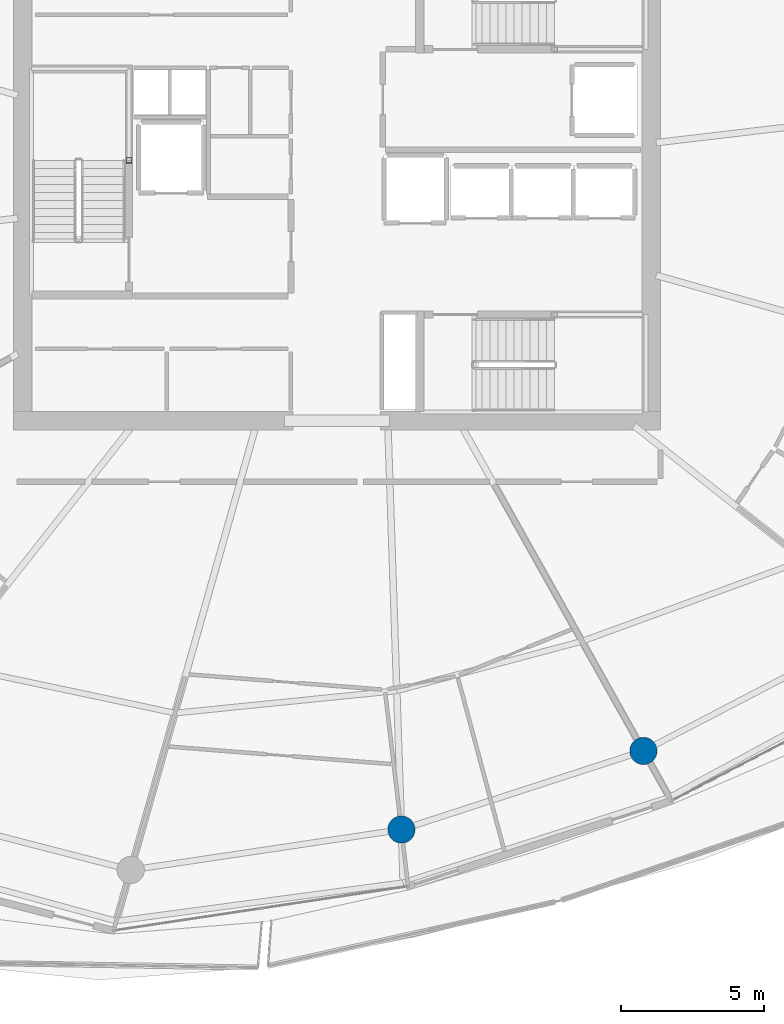
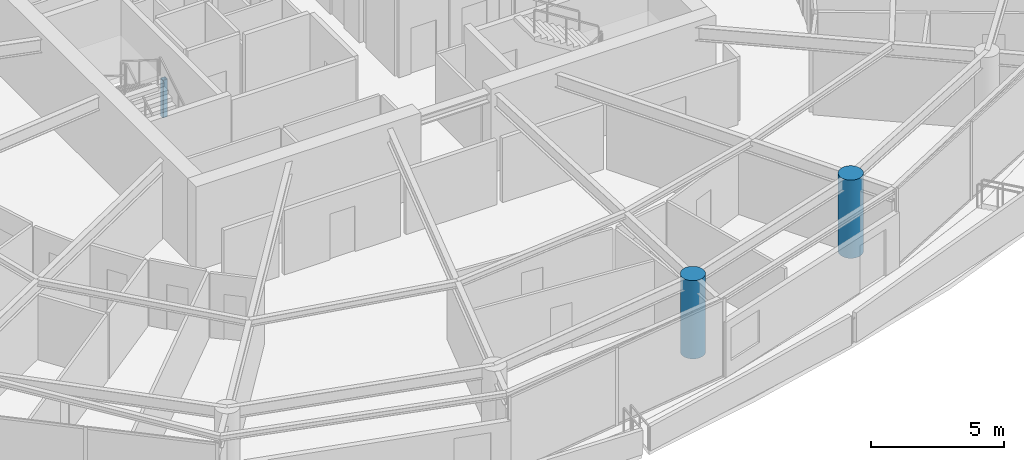
# One storey, part 2 of 29: 3 columns.
"""IFC4 building model written with IfcOpenShell, lengths in metres."""

import ifcopenshell
import ifcopenshell.guid

model = None  # the IFC model being written
_history = None  # IfcOwnerHistory: only IFC2X3 demands one
_inside = {}  # id of a spatial element -> (the spatial element, [elements in it])
_under = {}  # id of a project, library or spatial element -> (it, [spatial elements below it])
_declared = {}  # id of a project -> (the project, [libraries it declares])
_typed = {}  # id of a type object -> (the type object, [elements of that type])
_made_of = {}  # id of a material, layer set ... -> (it, [elements and type objects made of it])


def new_model(schema):
    """Start an empty IFC model of exactly this schema.

    Asked for "IFC4X3", IfcOpenShell would pick the latest addendum, in which some entities
    have other attributes; the version numbers below select the first issue.
    IFC2X3 requires an IfcOwnerHistory on every rooted entity: one is made here for all.
    """
    global model, _history
    if schema == "IFC4X3":
        model = ifcopenshell.file(schema_version=(4, 3, 0, 0))
    else:
        model = ifcopenshell.file(schema=schema)
    _inside.clear()
    _under.clear()
    _declared.clear()
    _typed.clear()
    _made_of.clear()
    _history = None
    if model.schema == "IFC2X3":
        org = make("IfcOrganization", Name="unknown")
        user = make(
            "IfcPersonAndOrganization",
            ThePerson=make("IfcPerson", FamilyName="unknown"),
            TheOrganization=org,
        )
        app = make(
            "IfcApplication",
            ApplicationDeveloper=org,
            Version="unknown",
            ApplicationFullName="unknown",
            ApplicationIdentifier="unknown",
        )
        _history = make(
            "IfcOwnerHistory",
            OwningUser=user,
            OwningApplication=app,
            ChangeAction="ADDED",
            CreationDate=0,
        )
    return model


def make(cls, **values):
    """One entity of the class cls with the attributes given. An attribute that is None is left unset."""
    return model.create_entity(
        cls, **{name: value for name, value in values.items() if value is not None}
    )


def rooted(cls, **values):
    """An entity with a GlobalId (a new one), such as an element, a storey or a relation."""
    return make(cls, GlobalId=ifcopenshell.guid.new(), OwnerHistory=_history, **values)


def si_unit(unit_type, name, prefix=None):
    """IfcSIUnit, for example si_unit("LENGTHUNIT", "METRE", prefix="MILLI")."""
    return make("IfcSIUnit", UnitType=unit_type, Prefix=prefix, Name=name)


def assignment(units):
    """IfcUnitAssignment: the units of a project."""
    return None if units is None else make("IfcUnitAssignment", Units=units)


def point(xyz):
    """IfcCartesianPoint."""
    return None if xyz is None else make("IfcCartesianPoint", Coordinates=xyz)


def direction(xyz):
    """IfcDirection."""
    return None if xyz is None else make("IfcDirection", DirectionRatios=xyz)


def frame(location, z_axis=None, x_axis=None):
    """IfcAxis2Placement3D, a coordinate frame: its origin and axes. An axis left out is left unset."""
    return make(
        "IfcAxis2Placement3D",
        Location=point(location),
        Axis=direction(z_axis),
        RefDirection=direction(x_axis),
    )


def frame_2d(location, x_axis=None):
    """IfcAxis2Placement2D, a coordinate frame in the plane: its origin and x axis."""
    return make(
        "IfcAxis2Placement2D", Location=point(location), RefDirection=direction(x_axis)
    )


def origin():
    """The frame at (0, 0, 0) with its axes left unset."""
    return frame((0.0, 0.0, 0.0))


def origin_2d():
    """The frame at (0, 0) in the plane with its x axis left unset."""
    return frame_2d((0.0, 0.0))


def place(relative_to, where):
    """IfcLocalPlacement: puts the frame where relative to a parent placement (None: the world)."""
    return make(
        "IfcLocalPlacement", PlacementRelTo=relative_to, RelativePlacement=where
    )


def context(
    kind, dimensions, precision=None, world=None, true_north=None, identifier=None
):
    """IfcGeometricRepresentationContext, for example the 3D "Model" context."""
    return make(
        "IfcGeometricRepresentationContext",
        ContextIdentifier=identifier,
        ContextType=kind,
        CoordinateSpaceDimension=dimensions,
        Precision=precision,
        WorldCoordinateSystem=world,
        TrueNorth=true_north,
    )


def subcontext(parent, identifier, kind, view, scale=None):
    """IfcGeometricRepresentationSubContext, for example "Body" below "Model"."""
    return make(
        "IfcGeometricRepresentationSubContext",
        ContextIdentifier=identifier,
        ContextType=kind,
        ParentContext=parent,
        TargetScale=scale,
        TargetView=view,
    )


def project(units=None, contexts=None):
    """IfcProject with its units and contexts."""
    return rooted(
        "IfcProject",
        Name="project",
        RepresentationContexts=contexts,
        UnitsInContext=assignment(units),
    )


def spatial(cls, under=None, at=None, **own):
    """A site, building, storey or space (cls), placed at a placement, below another one or the project."""
    s = rooted(cls, ObjectPlacement=at, **own)
    if under is not None:
        _under.setdefault(under.id(), (under, []))[1].append(s)
    return s


def profile(cls, at=None, kind="AREA", **sizes):
    """A parametric profile (cls). Its sizes go by their IFC names, for example OverallWidth=200.0."""
    return make(cls, ProfileType=kind, Position=at, **sizes)


def hollow_rectangle(**sizes):
    """IfcRectangleHollowProfileDef."""
    return profile("IfcRectangleHollowProfileDef", **sizes)


def circle(**sizes):
    """IfcCircleProfileDef."""
    return profile("IfcCircleProfileDef", **sizes)


def extrude(swept, where, along, depth):
    """IfcExtrudedAreaSolid: the profile swept, set in the frame where, extruded along a direction by depth."""
    return make(
        "IfcExtrudedAreaSolid",
        SweptArea=swept,
        Position=where,
        ExtrudedDirection=direction(along),
        Depth=depth,
    )


def shape(context_of_items, identifier, shape_type, items):
    """IfcShapeRepresentation: the items that make up one representation, for example the "Body"."""
    return make(
        "IfcShapeRepresentation",
        ContextOfItems=context_of_items,
        RepresentationIdentifier=identifier,
        RepresentationType=shape_type,
        Items=items,
    )


def material(Name=None, Category=None):
    """IfcMaterial."""
    return make("IfcMaterial", Name=Name, Category=Category)


def material_profile(
    of_material, cross_section, Name=None, Category=None, Priority=None
):
    """IfcMaterialProfile: a cross section and its material."""
    return make(
        "IfcMaterialProfile",
        Name=Name,
        Material=of_material,
        Profile=cross_section,
        Priority=Priority,
        Category=Category,
    )


def profile_set(profiles, Name=None, composite=None):
    """IfcMaterialProfileSet."""
    return make(
        "IfcMaterialProfileSet",
        Name=Name,
        MaterialProfiles=profiles,
        CompositeProfile=composite,
    )


def made_of(thing, what):
    """Note that an element or type object is made of a material, layer set ...; save() writes the relation."""
    if what is not None:
        _made_of.setdefault(what.id(), (what, []))[1].append(thing)
    return thing


def type_object(cls, material=None, **own):
    """A type object (cls), such as IfcWallType, which elements share."""
    return made_of(rooted(cls, **own), material)


def element(
    cls,
    number,
    at=None,
    inside=None,
    cuts=None,
    type_object=None,
    material=None,
    context=None,
    identifier="Body",
    shape_type=None,
    held_by="IfcProductDefinitionShape",
    body=None,
    shapes=None,
    **own,
):
    """One element of the class cls, such as IfcWall. Its Tag is "e" and its number.

    at: its placement. inside: the storey or other place that contains it. cuts: it is an
    opening in that element (IfcRelVoidsElement). A single representation is given by context,
    identifier, shape_type and body (its items); several are given by shapes. held_by: the class
    of the entity that holds the representations. save() writes the other relations.
    """
    e = rooted(cls, Tag="e%d" % number, ObjectPlacement=at, **own)
    if body is not None:
        shapes = [shape(context, identifier, shape_type, body)]
    if shapes is not None:
        e.Representation = make(held_by, Representations=shapes)
    if inside is not None:
        _inside.setdefault(inside.id(), (inside, []))[1].append(e)
    if cuts is not None:
        rooted(
            "IfcRelVoidsElement", RelatingBuildingElement=cuts, RelatedOpeningElement=e
        )
    if type_object is not None:
        _typed.setdefault(type_object.id(), (type_object, []))[1].append(e)
    return made_of(e, material)


def aggregate(whole, parts):
    """IfcRelAggregates: a whole, such as a stair, and the parts it consists of."""
    return rooted("IfcRelAggregates", RelatingObject=whole, RelatedObjects=parts)


def save(model, path):
    """Write the relations noted so far, then the file.

    IfcRelAggregates (storeys below a building ...), IfcRelContainedInSpatialStructure (elements
    in a storey), IfcRelDefinesByType, IfcRelAssociatesMaterial and IfcRelDeclares: one each for
    every whole, place, type object, material and project.
    """
    for whole, parts in _under.values():
        aggregate(whole, parts)
    for where, things in _inside.values():
        rooted(
            "IfcRelContainedInSpatialStructure",
            RelatedElements=things,
            RelatingStructure=where,
        )
    for kind, things in _typed.values():
        rooted("IfcRelDefinesByType", RelatedObjects=things, RelatingType=kind)
    for what, things in _made_of.values():
        rooted("IfcRelAssociatesMaterial", RelatedObjects=things, RelatingMaterial=what)
    for by, libraries in _declared.values():
        rooted("IfcRelDeclares", RelatingContext=by, RelatedDefinitions=libraries)
    model.write(path)


model = new_model("IFC4")

# Units and contexts
model_context = context("Model", 3, precision=1e-05, world=origin(), true_north=direction((0.0, 1.0)))
body_context = subcontext(model_context, "Body", "Model", "MODEL_VIEW")
ifc_project = project(units=[si_unit("LENGTHUNIT", "METRE"), si_unit("AREAUNIT", "SQUARE_METRE"), si_unit("VOLUMEUNIT", "CUBIC_METRE"), si_unit("PLANEANGLEUNIT", "RADIAN"), si_unit("MASSUNIT", "GRAM", prefix="KILO")], contexts=[model_context])

# Site, building, storey
site_placement = place(None, origin())
site = spatial("IfcSite", under=ifc_project, at=site_placement, CompositionType="ELEMENT")
building_placement = place(site_placement, origin())
building = spatial("IfcBuilding", under=site, at=building_placement, Name="Kazma Halo Residences", CompositionType="ELEMENT")
storey_placement = place(building_placement, frame((0.0, 0.0, 252.10009765625)))
storey = spatial("IfcBuildingStorey", under=building, at=storey_placement, Name="L63", CompositionType="ELEMENT", Elevation=252.10009765625)

# Columns
ifc_material_1 = material(Name="Steel S355", Category="steel")
ifc_material_profile_1 = material_profile(ifc_material_1, hollow_rectangle(XDim=0.199951171875, YDim=0.199951171875, WallThickness=0.010009765625, InnerFilletRadius=0.010009765625, OuterFilletRadius=0.02001953125, at=origin_2d()), Name="SHS200x200x10")
ifc_profile_set_1 = profile_set([ifc_material_profile_1], Name="Steel S355")
column_type_1 = type_object("IfcColumnType", Name="COL-LP-SHS200", PredefinedType="COLUMN", material=ifc_profile_set_1)
column_placement = place(storey_placement, frame((41.179931640625, 42.75, 0.0), z_axis=(0.0, 0.0, 1.0), x_axis=(1.0, 0.0, 0.0)))
element("IfcColumn", 1, at=column_placement, inside=storey, type_object=column_type_1, Name="L63 ST-01 landing pilaster 1", PredefinedType="COLUMN", context=body_context, shape_type="SweptSolid", body=[
    extrude(hollow_rectangle(XDim=0.199951171875, YDim=0.199951171875, WallThickness=0.010009765625, InnerFilletRadius=0.010009765625, OuterFilletRadius=0.02001953125, at=origin_2d()), origin(), (0.0, 0.0, 1.0), 1.719970703125),
])
ifc_material_2 = material(Name="Concrete C60/75", Category="concrete")
ifc_material_profile_2 = material_profile(ifc_material_2, circle(Radius=0.47509765625, at=origin_2d()), Name="CIRC950")
ifc_profile_set_2 = profile_set([ifc_material_profile_2], Name="Concrete C60/75")
column_type_2 = type_object("IfcColumnType", Name="COL-PERIM-950", PredefinedType="COLUMN", material=ifc_profile_set_2)
for number, where, z_axis, x_axis, name in (
    (2, (50.67138671875, 19.42919921875, 0.0), (0.0, 0.0, 1.0), (1.0, 0.0, 0.0), "L63 perimeter ring column P12"),
    (3, (59.10546875, 22.169677734375, 0.0), (0.0, 0.0, 1.0), (1.0, 0.0, 0.0), "L63 perimeter ring column P13"),
):
    element("IfcColumn", number, at=place(storey_placement, frame(where, z_axis=z_axis, x_axis=x_axis)), inside=storey, type_object=column_type_2, Name=name, PredefinedType="COLUMN", context=body_context, shape_type="SweptSolid", body=[
        extrude(circle(Radius=0.47509765625, at=origin_2d()), origin(), (0.0, 0.0, 1.0), 3.58984375),
    ])

save(model, "model.ifc")
